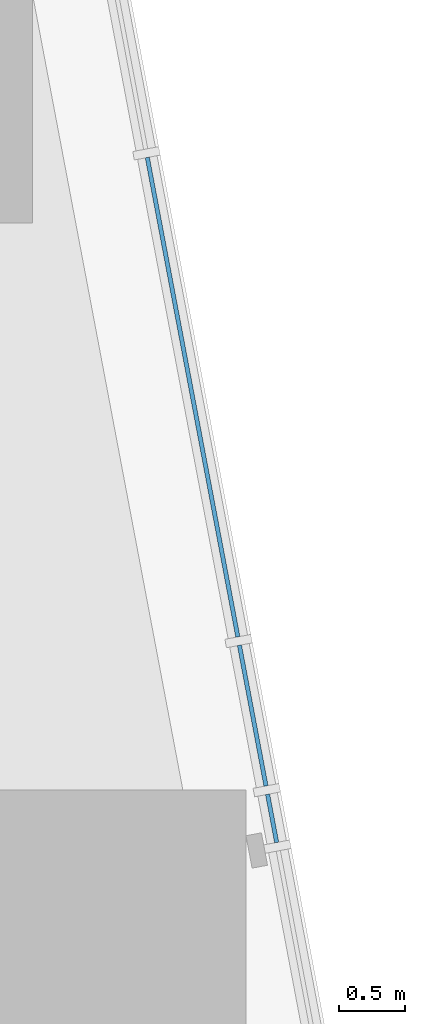
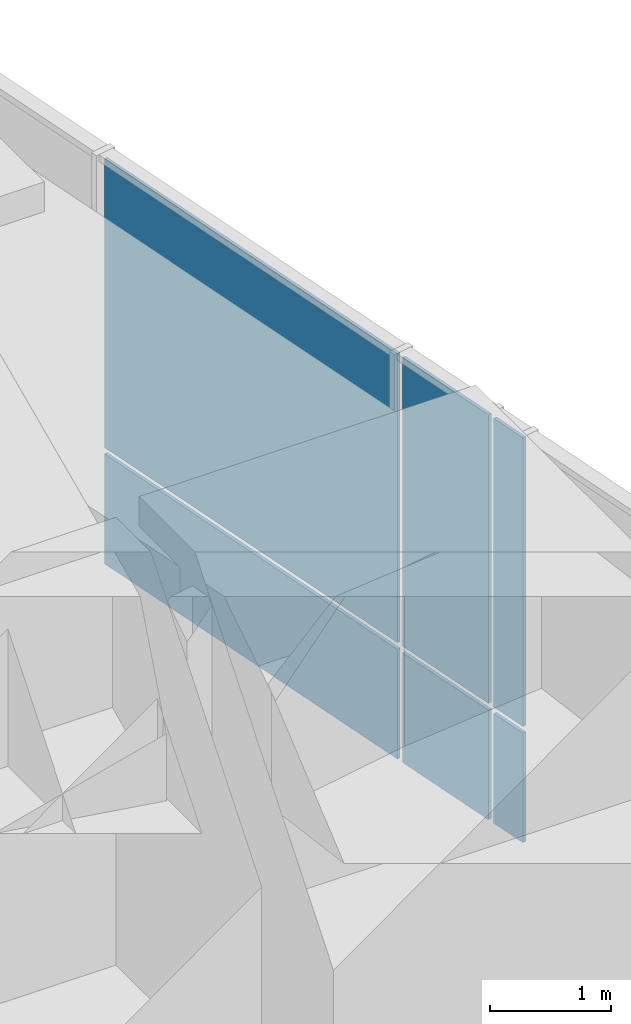
# One storey, part 11 of 22: 6 plates, 1 element without a shape of its own.
"""IFC4 building model written with IfcOpenShell, lengths in metres."""

from ifc_helpers import new_model, si_unit, direction, frame, origin, origin_2d, place, context, subcontext, project, spatial, rectangle, extrude, material, layer, layer_set, type_object, element, aggregate, save


model = new_model("IFC4")

# Units and contexts
model_context = context("Model", 3, precision=1e-05, world=origin(), true_north=direction((0.0, 1.0)))
body_context = subcontext(model_context, "Body", "Model", "MODEL_VIEW")
ifc_project = project(units=[si_unit("LENGTHUNIT", "METRE"), si_unit("AREAUNIT", "SQUARE_METRE"), si_unit("VOLUMEUNIT", "CUBIC_METRE"), si_unit("PLANEANGLEUNIT", "RADIAN"), si_unit("MASSUNIT", "GRAM", prefix="KILO")], contexts=[model_context])

# Site, building, storey
site_placement = place(None, origin())
site = spatial("IfcSite", under=ifc_project, at=site_placement, CompositionType="ELEMENT")
building_placement = place(site_placement, origin())
building = spatial("IfcBuilding", under=site, at=building_placement, Name="Sheger Commons Tower", CompositionType="ELEMENT")
storey_placement = place(building_placement, frame((0.0, 0.0, 10.10009765625)))
storey = spatial("IfcBuildingStorey", under=building, at=storey_placement, Name="L02", CompositionType="ELEMENT", Elevation=10.10009765625)

# Curtain wall, plates
ifc_material_1 = material(Name="Black aluminium curtain wall, dark tinted glazing", Category="aluminium")
curtain_wall_type = type_object("IfcCurtainWallType", Name="CURTAIN WALL CW2 HEALTH CENTRE", PredefinedType="USERDEFINED", material=ifc_material_1)
curtain_wall_placement = place(storey_placement, origin())
curtain_wall = element("IfcCurtainWall", 1, at=curtain_wall_placement, inside=storey, type_object=curtain_wall_type, Name="Curtain Wall Cw2 Health Centre E1 L02", ObjectType="STICK CURTAIN WALL", PredefinedType="USERDEFINED")
ifc_material_2 = material(Name="Dark tinted double glazing", Category="glass")
ifc_layer = layer(ifc_material_2, 0.031982421875)
ifc_layer_set = layer_set([ifc_layer], Name="GLAZED PANEL 32")
plate_type = type_object("IfcPlateType", Name="GLAZED PANEL 32", PredefinedType="CURTAIN_PANEL", material=ifc_layer_set)
plate_1_placement = place(storey_placement, frame((48.113037109375, 16.149169921875, 0.06494140625), z_axis=(0.0, 0.0, 1.0), x_axis=(-0.185609884918, 0.982623514181, 0.0)))
plate_1 = element("IfcPlate", 2, at=plate_1_placement, type_object=plate_type, Name="CW2 panel 6.1", PredefinedType="CURTAIN_PANEL", context=body_context, shape_type="SweptSolid", body=[
    extrude(rectangle(XDim=0.37109375, YDim=0.031982421875, at=origin_2d()), origin(), (0.0, 0.0, 1.0), 1.1025390625),
])
plate_2_placement = place(storey_placement, frame((48.113037109375, 16.149169921875, 1.232421875), z_axis=(0.0, 0.0, 1.0), x_axis=(-0.185609884918, 0.982623514181, 0.0)))
plate_2 = element("IfcPlate", 3, at=plate_2_placement, type_object=plate_type, Name="CW2 panel 6.2", PredefinedType="CURTAIN_PANEL", context=body_context, shape_type="SweptSolid", body=[
    extrude(rectangle(XDim=0.37109375, YDim=0.031982421875, at=origin_2d()), origin(), (0.0, 0.0, 1.0), 2.902587890625),
])
plate_3_placement = place(storey_placement, frame((47.9658203125, 16.928466796875, 0.06494140625), z_axis=(0.0, 0.0, 1.0), x_axis=(-0.185609884918, 0.982623514181, 0.0)))
plate_3 = element("IfcPlate", 4, at=plate_3_placement, type_object=plate_type, Name="CW2 panel 7.1", PredefinedType="CURTAIN_PANEL", context=body_context, shape_type="SweptSolid", body=[
    extrude(rectangle(XDim=1.0849609375, YDim=0.031982421875, at=origin_2d()), origin(), (0.0, 0.0, 1.0), 1.1025390625),
])
plate_4_placement = place(storey_placement, frame((47.9658203125, 16.928466796875, 1.232421875), z_axis=(0.0, 0.0, 1.0), x_axis=(-0.185609884918, 0.982623514181, 0.0)))
plate_4 = element("IfcPlate", 5, at=plate_4_placement, type_object=plate_type, Name="CW2 panel 7.2", PredefinedType="CURTAIN_PANEL", context=body_context, shape_type="SweptSolid", body=[
    extrude(rectangle(XDim=1.0849609375, YDim=0.031982421875, at=origin_2d()), origin(), (0.0, 0.0, 1.0), 2.902587890625),
])
plate_5_placement = place(storey_placement, frame((47.510009765625, 19.34228515625, 0.06494140625), z_axis=(0.0, 0.0, 1.0), x_axis=(-0.185609884918, 0.982623514181, 0.0)))
plate_5 = element("IfcPlate", 6, at=plate_5_placement, type_object=plate_type, Name="CW2 panel 8.1", PredefinedType="CURTAIN_PANEL", context=body_context, shape_type="SweptSolid", body=[
    extrude(rectangle(XDim=3.697998046875, YDim=0.031982421875, at=origin_2d()), origin(), (0.0, 0.0, 1.0), 1.1025390625),
])
plate_6_placement = place(storey_placement, frame((47.510009765625, 19.34228515625, 1.232421875), z_axis=(0.0, 0.0, 1.0), x_axis=(-0.185609884918, 0.982623514181, 0.0)))
plate_6 = element("IfcPlate", 7, at=plate_6_placement, type_object=plate_type, Name="CW2 panel 8.2", PredefinedType="CURTAIN_PANEL", context=body_context, shape_type="SweptSolid", body=[
    extrude(rectangle(XDim=3.697998046875, YDim=0.031982421875, at=origin_2d()), origin(), (0.0, 0.0, 1.0), 2.902587890625),
])
aggregate(curtain_wall, [plate_1, plate_2, plate_3, plate_4, plate_5, plate_6])

save(model, "model.ifc")
